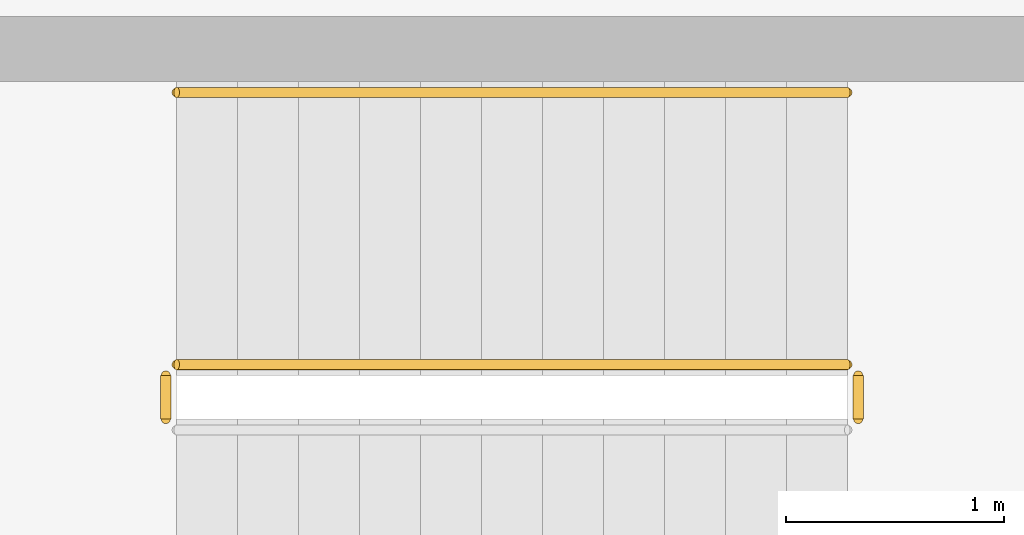
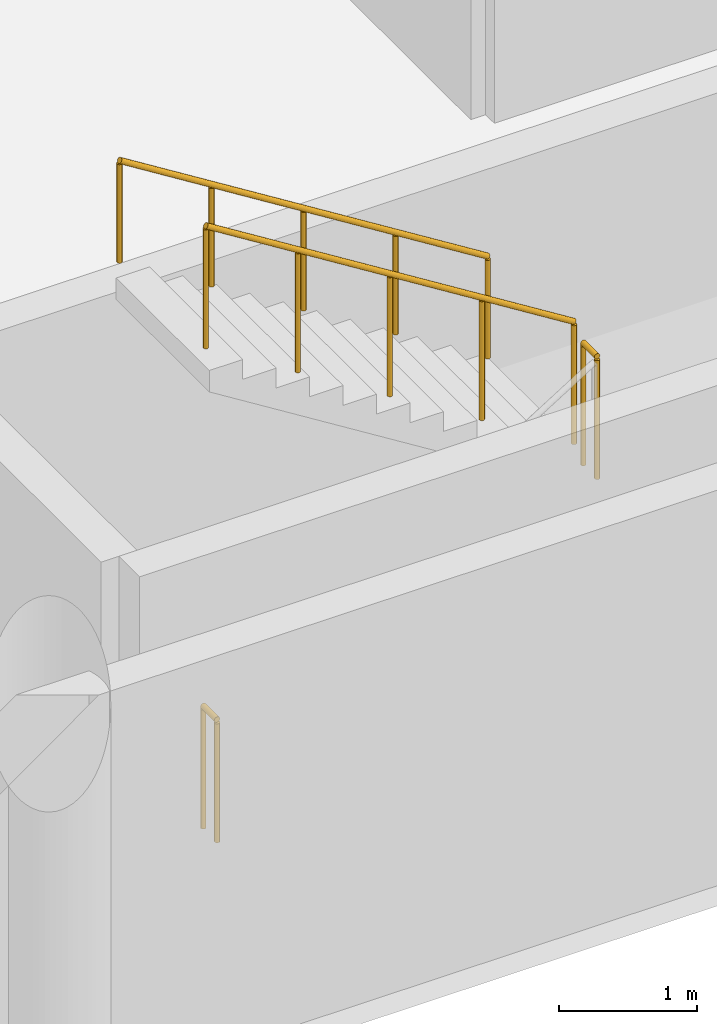
# One storey, part 81 of 92: 4 railings.
"""IFC4 building model written with IfcOpenShell, lengths in metres."""

from ifc_helpers import new_model, si_unit, direction, frame, origin, origin_2d, place, context, subcontext, project, spatial, circle, extrude, material, layer, layer_set, type_object, element, save


model = new_model("IFC4")

# Units and contexts
model_context = context("Model", 3, precision=1e-05, world=origin(), true_north=direction((0.0, 1.0)))
body_context = subcontext(model_context, "Body", "Model", "MODEL_VIEW")
ifc_project = project(units=[si_unit("LENGTHUNIT", "METRE"), si_unit("AREAUNIT", "SQUARE_METRE"), si_unit("VOLUMEUNIT", "CUBIC_METRE"), si_unit("PLANEANGLEUNIT", "RADIAN"), si_unit("MASSUNIT", "GRAM", prefix="KILO")], contexts=[model_context])

# Site, building, storey
site_placement = place(None, origin())
site = spatial("IfcSite", under=ifc_project, at=site_placement, CompositionType="ELEMENT")
building_placement = place(site_placement, origin())
building = spatial("IfcBuilding", under=site, at=building_placement, Name="Solanera Park Tramway Depot", CompositionType="ELEMENT")
storey_placement = place(building_placement, frame((0.0, 0.0, 4.800048828125)))
storey = spatial("IfcBuildingStorey", under=building, at=storey_placement, Name="L01", CompositionType="ELEMENT", Elevation=4.800048828125)

# Railings
ifc_material_1 = material(Name="Brushed stainless steel 316 handrail", Category="steel")
ifc_layer_1 = layer(ifc_material_1, 0.050048828125)
ifc_layer_set_1 = layer_set([ifc_layer_1], Name="Brushed stainless steel 316 handrail")
railing_type_1 = type_object("IfcRailingType", Name="Stair Pitch Tubular Handrail 920", PredefinedType="HANDRAIL", material=ifc_layer_set_1)
railing_1_placement = place(storey_placement, frame((80.780029296875, 14.449951171875, 2.27490234375)))
element("IfcRailing", 1, at=railing_1_placement, inside=storey, type_object=railing_type_1, Name="ST-09 L01 Pitch Handrail 2", PredefinedType="HANDRAIL", context=body_context, shape_type="SweptSolid", body=[
    extrude(circle(Radius=0.02392578125, at=origin_2d()), frame((0.0, 0.0, 0.89599609375), z_axis=(-0.847998304005, 0.0, 0.529998940003), x_axis=(0.0, -1.0, 0.0)), (0.0, 0.0, 1.0), 3.632080078125),
    extrude(circle(Radius=0.02099609375, at=origin_2d()), origin(), (0.0, 0.0, 1.0), 0.871826171875),
    extrude(circle(Radius=0.02099609375, at=origin_2d()), frame((-0.77001953125, 0.0, 0.481201171875)), (0.0, 0.0, 1.0), 0.871826171875),
    extrude(circle(Radius=0.02099609375, at=origin_2d()), frame((-1.5400390625, 0.0, 0.96240234375)), (0.0, 0.0, 1.0), 0.871826171875),
    extrude(circle(Radius=0.02099609375, at=origin_2d()), frame((-2.31005859375, 0.0, 1.44384765625)), (0.0, 0.0, 1.0), 0.871826171875),
    extrude(circle(Radius=0.02099609375, at=origin_2d()), frame((-3.080078125, 0.0, 1.925048828125)), (0.0, 0.0, 1.0), 0.871826171875),
])
ifc_material_2 = material(Name="Steel AS/NZS 1163 Grade C350L0", Category="steel")
ifc_layer_2 = layer(ifc_material_2, 0.06005859375)
ifc_layer_set_2 = layer_set([ifc_layer_2], Name="Steel AS/NZS 1163 Grade C350L0")
railing_type_2 = type_object("IfcRailingType", Name="Stairwell Guardrail 1100", PredefinedType="GUARDRAIL", material=ifc_layer_set_2)
railing_2_placement = place(storey_placement, frame((80.830078125, 12.949951171875, 2.099853515625)))
element("IfcRailing", 2, at=railing_2_placement, inside=storey, type_object=railing_type_2, Name="ST-09 L01 Well Guard 2", PredefinedType="GUARDRAIL", context=body_context, shape_type="SweptSolid", body=[
    extrude(circle(Radius=0.02392578125, at=origin_2d()), frame((0.0, 0.0, 1.076171875), z_axis=(0.0, 1.0, 0.0), x_axis=(-1.0, 0.0, 0.0)), (0.0, 0.0, 1.0), 0.199951171875),
    extrude(circle(Radius=0.02099609375, at=origin_2d()), origin(), (0.0, 0.0, 1.0), 1.052001953125),
    extrude(circle(Radius=0.02099609375, at=origin_2d()), frame((0.0, 0.199951171875, 0.0)), (0.0, 0.0, 1.0), 1.052001953125),
])
railing_3_placement = place(storey_placement, frame((80.780029296875, 13.199951171875, 2.27490234375)))
element("IfcRailing", 3, at=railing_3_placement, inside=storey, type_object=railing_type_2, Name="ST-09 L01 Well Guard 3", PredefinedType="GUARDRAIL", context=body_context, shape_type="SweptSolid", body=[
    extrude(circle(Radius=0.02392578125, at=origin_2d()), frame((0.0, 0.0, 1.076171875), z_axis=(-0.847998304005, 0.0, 0.529998940003), x_axis=(0.0, -1.0, 0.0)), (0.0, 0.0, 1.0), 3.632080078125),
    extrude(circle(Radius=0.02099609375, at=origin_2d()), origin(), (0.0, 0.0, 1.0), 1.052001953125),
    extrude(circle(Radius=0.02099609375, at=origin_2d()), frame((-0.77001953125, 0.0, 0.481201171875)), (0.0, 0.0, 1.0), 1.052001953125),
    extrude(circle(Radius=0.02099609375, at=origin_2d()), frame((-1.5400390625, 0.0, 0.96240234375)), (0.0, 0.0, 1.0), 1.052001953125),
    extrude(circle(Radius=0.02099609375, at=origin_2d()), frame((-2.31005859375, 0.0, 1.44384765625)), (0.0, 0.0, 1.0), 1.052001953125),
    extrude(circle(Radius=0.02099609375, at=origin_2d()), frame((-3.080078125, 0.0, 1.925048828125)), (0.0, 0.0, 1.0), 1.052001953125),
])
railing_4_placement = place(storey_placement, frame((77.64990234375, 12.949951171875, 0.0)))
element("IfcRailing", 4, at=railing_4_placement, inside=storey, type_object=railing_type_2, Name="ST-09 L01 Well Guard 4", PredefinedType="GUARDRAIL", context=body_context, shape_type="SweptSolid", body=[
    extrude(circle(Radius=0.02392578125, at=origin_2d()), frame((0.0, 0.0, 1.076171875), z_axis=(0.0, 1.0, 0.0), x_axis=(-1.0, 0.0, 0.0)), (0.0, 0.0, 1.0), 0.199951171875),
    extrude(circle(Radius=0.02099609375, at=origin_2d()), origin(), (0.0, 0.0, 1.0), 1.052001953125),
    extrude(circle(Radius=0.02099609375, at=origin_2d()), frame((0.0, 0.199951171875, 0.0)), (0.0, 0.0, 1.0), 1.052001953125),
])

save(model, "model.ifc")
